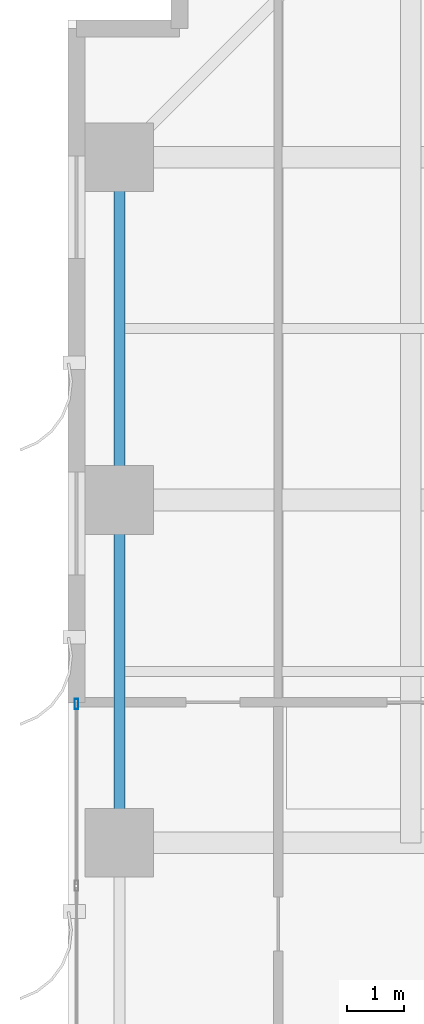
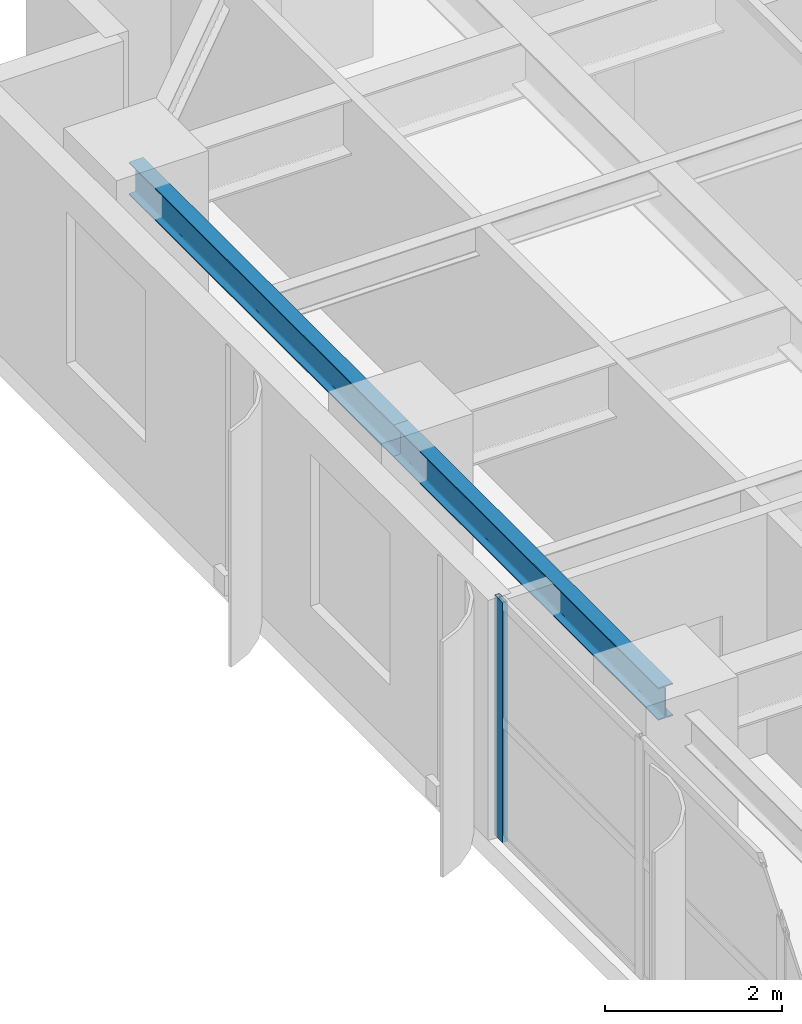
# One storey, part 9 of 23: 2 beams, 1 member, 1 element without a shape of its own.
"""IFC4 building model written with IfcOpenShell, lengths in metres."""

from ifc_helpers import new_model, si_unit, direction, frame, origin, origin_2d, place, context, subcontext, project, spatial, hollow_rectangle, i_section, extrude, source, transform, mapped, material, layer, layer_set, material_profile, profile_set, type_object, element, aggregate, save


model = new_model("IFC4")

# Units and contexts
model_context = context("Model", 3, precision=1e-05, world=origin(), true_north=direction((0.0, 1.0)))
body_context = subcontext(model_context, "Body", "Model", "MODEL_VIEW")
ifc_project = project(units=[si_unit("LENGTHUNIT", "METRE"), si_unit("AREAUNIT", "SQUARE_METRE"), si_unit("VOLUMEUNIT", "CUBIC_METRE"), si_unit("PLANEANGLEUNIT", "RADIAN"), si_unit("MASSUNIT", "GRAM", prefix="KILO")], contexts=[model_context])

# Site, building, storey
site_placement = place(None, origin())
site = spatial("IfcSite", under=ifc_project, at=site_placement, CompositionType="ELEMENT")
building_placement = place(site_placement, origin())
building = spatial("IfcBuilding", under=site, at=building_placement, Name="Khoralis Quay Care Tower", CompositionType="ELEMENT")
storey_placement = place(building_placement, frame((0.0, 0.0, 36.89990234375)))
storey = spatial("IfcBuildingStorey", under=building, at=storey_placement, Name="L09", CompositionType="ELEMENT", Elevation=36.89990234375)

# Beams
ifc_material_1 = material(Name="Steel S355", Category="steel")
ifc_material_profile_1 = material_profile(ifc_material_1, i_section(OverallWidth=0.18994140625, OverallDepth=0.449951171875, WebThickness=0.009521484375, FlangeThickness=0.0146484375, FilletRadius=0.02099609375, at=origin_2d()), Name="Steel S355")
ifc_profile_set_1 = profile_set([ifc_material_profile_1], Name="Steel S355")
beam_type = type_object("IfcBeamType", Name="BM-IPE450", PredefinedType="SPANDREL", material=ifc_profile_set_1)
shared_shape_1 = source(origin(), body_context, "Body", "SweptSolid", [
    extrude(i_section(OverallWidth=0.18994140625, OverallDepth=0.449951171875, WebThickness=0.009521484375, FlangeThickness=0.0146484375, FilletRadius=0.02099609375, at=origin_2d()), origin(), (0.0, 0.0, 1.0), 6.0),
])
for number, where, z_axis, x_axis, name in (
    (1, (0.89990234375, 30.0, 3.09521484375), (0.0, 1.0, 0.0), (-1.0, 0.0, 0.0), "BM-TSP-L09-17"),
    (2, (0.89990234375, 36.0, 3.09521484375), (0.0, 1.0, 0.0), (-1.0, 0.0, 0.0), "BM-TSP-L09-18"),
):
    element("IfcBeam", number, at=place(storey_placement, frame(where, z_axis=z_axis, x_axis=x_axis)), inside=storey, type_object=beam_type, Name=name, PredefinedType="SPANDREL", context=body_context, shape_type="MappedRepresentation", body=[
        mapped(shared_shape_1, transform((0.0, 0.0, 0.0), scale=1.0)),
    ])

# Curtain wall, member
ifc_material_2 = material(Name="Pale anodised aluminium", Category="aluminium")
ifc_layer = layer(ifc_material_2, 0.179931640625)
ifc_layer_set = layer_set([ifc_layer], Name="Pale anodised aluminium")
curtain_wall_type = type_object("IfcCurtainWallType", Name="CW-SYS-Z1", PredefinedType="NOTDEFINED", material=ifc_layer_set)
curtain_wall_placement = place(storey_placement, origin())
curtain_wall = element("IfcCurtainWall", 3, at=curtain_wall_placement, inside=storey, type_object=curtain_wall_type, Name="L09 Unitised Curtain Wall CW-L09-P1-E15", PredefinedType="NOTDEFINED")
ifc_material_profile_2 = material_profile(ifc_material_2, hollow_rectangle(XDim=0.06494140625, YDim=0.179931640625, WallThickness=0.00390625, at=origin_2d()), Name="Pale anodised aluminium")
ifc_profile_set_2 = profile_set([ifc_material_profile_2], Name="Pale anodised aluminium")
member_type = type_object("IfcMemberType", Name="CW-MUL-180", PredefinedType="MULLION", material=ifc_profile_set_2)
shared_shape_2 = source(origin(), body_context, "Body", "SweptSolid", [
    extrude(hollow_rectangle(XDim=0.06494140625, YDim=0.179931640625, WallThickness=0.00390625, at=origin_2d()), origin(), (0.0, 0.0, 1.0), 3.320068359375),
])
member_placement = place(storey_placement, frame((0.14990234375, 32.429931640625, 0.0), z_axis=(0.0, 0.0, 1.0), x_axis=(1.0, 0.0, 0.0)))
member = element("IfcMember", 4, at=member_placement, type_object=member_type, Name="CW1 mullion 1", PredefinedType="MULLION", context=body_context, shape_type="MappedRepresentation", body=[
    mapped(shared_shape_2, transform((0.0, 0.0, 0.0), scale=1.0)),
])
aggregate(curtain_wall, [member])

save(model, "model.ifc")
